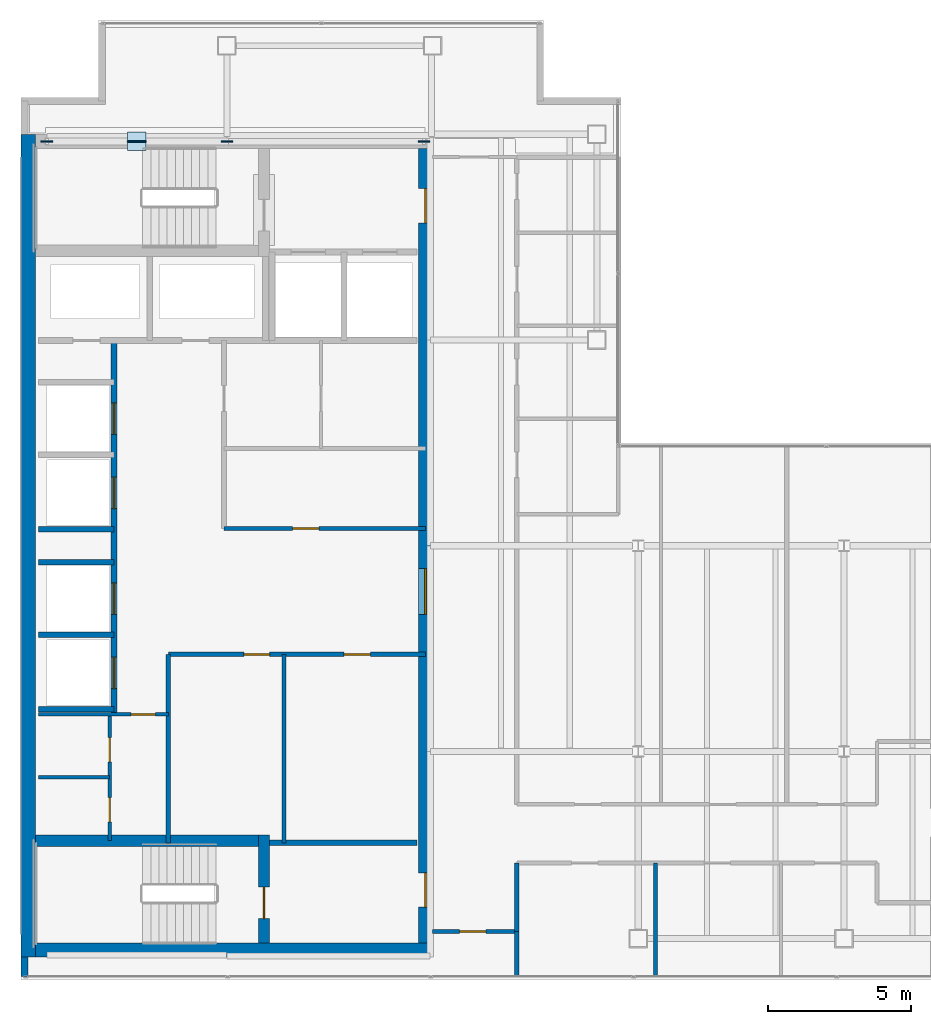
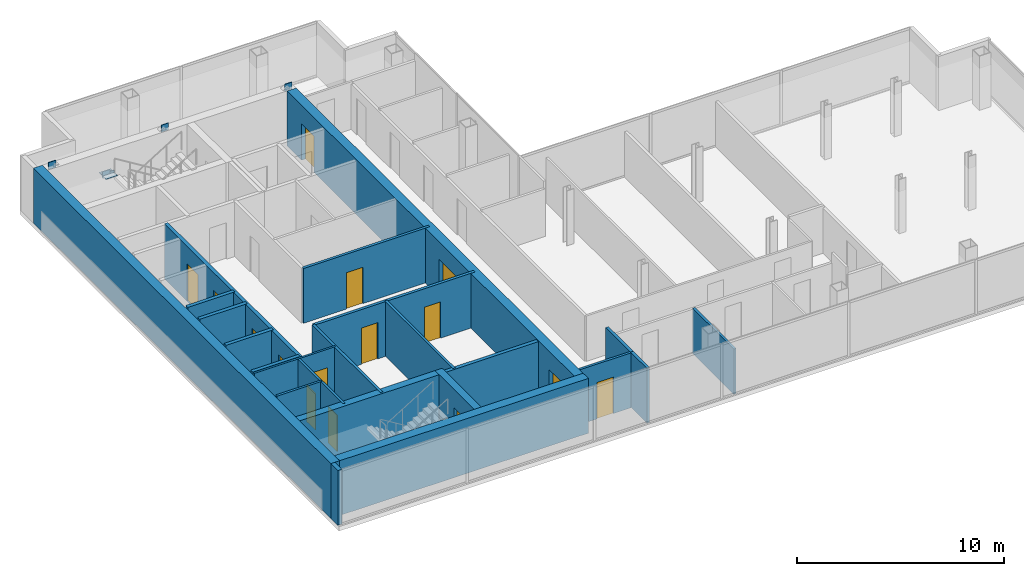
# One storey, part 20 of 23: 23 walls, 15 doors, 6 plates, 15 openings.
"""IFC4 building model written with IfcOpenShell, lengths in metres."""

from ifc_helpers import new_model, si_unit, direction, frame, frame_2d, origin, origin_2d, place, context, subcontext, project, spatial, rectangle, extrude, material, layer, layer_set, type_object, element, fill, save


model = new_model("IFC4")

# Units and contexts
model_context = context("Model", 3, precision=1e-05, world=origin(), true_north=direction((0.0, 1.0)))
body_context = subcontext(model_context, "Body", "Model", "MODEL_VIEW")
ifc_project = project(units=[si_unit("LENGTHUNIT", "METRE"), si_unit("AREAUNIT", "SQUARE_METRE"), si_unit("VOLUMEUNIT", "CUBIC_METRE"), si_unit("PLANEANGLEUNIT", "RADIAN"), si_unit("MASSUNIT", "GRAM", prefix="KILO")], contexts=[model_context])

# Site, building, storey
site_placement = place(None, origin())
site = spatial("IfcSite", under=ifc_project, at=site_placement, CompositionType="ELEMENT")
building_placement = place(site_placement, origin())
building = spatial("IfcBuilding", under=site, at=building_placement, Name="Cobrela Telecom Tower", CompositionType="ELEMENT")
storey_placement = place(building_placement, frame((0.0, 0.0, 286.64990234375)))
storey = spatial("IfcBuildingStorey", under=building, at=storey_placement, Name="L75", CompositionType="ELEMENT", Elevation=286.64990234375)

# Plates
ifc_material_1 = material(Name="Steel ASTM A572 Grade 50", Category="steel")
ifc_layer_1 = layer(ifc_material_1, 0.0419921875)
ifc_layer_set_1 = layer_set([ifc_layer_1], Name="Steel ASTM A572 Grade 50")
plate_type = type_object("IfcPlateType", Name="PLT-NODE-ND1", PredefinedType="USERDEFINED", material=ifc_layer_set_1)
for number, where, z_axis, x_axis, name in (
    (1, (7.199951171875, 35.75, 3.0751953125), (0.0, 0.0, 1.0), (1.0, 0.0, 0.0), "Steel node plate PLT-MBR-EXO-L75-N1-A-1"),
    (2, (4.173828125, 35.75, 1.349609375), (0.0, 0.0, 1.0), (-1.0, 0.0, 0.0), "Steel node plate PLT-MBR-EXO-L75-N1-B1-1"),
    (3, (3.926025390625, 35.75, 1.48046875), (0.0, 0.0, 1.0), (-1.0, 0.0, 0.0), "Steel node plate PLT-MBR-EXO-L75-N1-B2-0"),
    (4, (0.89990234375, 35.75, 3.0751953125), (0.0, 0.0, 1.0), (-1.0, 0.0, 0.0), "Steel node plate PLT-MBR-EXO-L75-N1-B2-1"),
):
    element("IfcPlate", number, at=place(storey_placement, frame(where, z_axis=z_axis, x_axis=x_axis)), inside=storey, type_object=plate_type, Name=name, ObjectType="GUSSET PLATE", PredefinedType="USERDEFINED", context=body_context, shape_type="SweptSolid", body=[
        extrude(rectangle(XDim=0.409912109375, YDim=0.044921875, at=origin_2d()), origin(), (0.0, 0.0, 1.0), 0.409912109375),
    ])
plate_1_placement = place(storey_placement, frame((4.050048828125, 35.75, 1.59765625), z_axis=(0.0, 0.0, 1.0), x_axis=(1.0, 0.0, 0.0)))
element("IfcPlate", 5, at=plate_1_placement, inside=storey, type_object=plate_type, Name="L75 Core Flange Steel X-Brace Central X-Crossing Gusset Plate", ObjectType="GUSSET PLATE", PredefinedType="USERDEFINED", context=body_context, shape_type="SweptSolid", body=[
    extrude(rectangle(XDim=0.64990234375, YDim=0.64990234375, at=origin_2d()), origin(), (0.0, 0.0, 1.0), 0.044921875),
])
plate_2_placement = place(storey_placement, frame((14.10009765625, 35.75, 3.0751953125), z_axis=(0.0, 0.0, 1.0), x_axis=(1.0, 0.0, 0.0)))
element("IfcPlate", 6, at=plate_2_placement, inside=storey, type_object=plate_type, Name="Steel node plate PLT-MBR-EXO-L75-N2-1", ObjectType="GUSSET PLATE", PredefinedType="USERDEFINED", context=body_context, shape_type="SweptSolid", body=[
    extrude(rectangle(XDim=0.409912109375, YDim=0.044921875, at=origin_2d()), origin(), (0.0, 0.0, 1.0), 0.409912109375),
])

# Walls
ifc_material_2 = material(Name="Concrete C40/50", Category="concrete")
ifc_layer_2 = layer(ifc_material_2, 0.5)
ifc_layer_set_2 = layer_set([ifc_layer_2], Name="Concrete C40/50")
wall_type_1 = type_object("IfcWallType", Name="WALL-CORE-C40-500", PredefinedType="SHEAR", material=ifc_layer_set_2)
wall_1_placement = place(storey_placement, frame((0.25, 7.199951171875, 0.0), z_axis=(0.0, 0.0, 1.0), x_axis=(0.0, 1.0, 0.0)))
element("IfcWall", 7, at=wall_1_placement, inside=storey, type_object=wall_type_1, Name="L75 West Core Shear Wall", PredefinedType="SHEAR", context=body_context, shape_type="SweptSolid", body=[
    extrude(rectangle(XDim=28.800048828125, YDim=0.5, at=frame_2d((14.39990234375, 0.0))), origin(), (0.0, 0.0, 1.0), 3.239990234375),
])
wall_2_placement = place(storey_placement, frame((0.5, 7.449951171875, 0.0), z_axis=(0.0, 0.0, 1.0), x_axis=(1.0, 0.0, 0.0)))
element("IfcWall", 8, at=wall_2_placement, inside=storey, type_object=wall_type_1, Name="L75 South Core Shear Wall", PredefinedType="SHEAR", context=body_context, shape_type="SweptSolid", body=[
    extrude(rectangle(XDim=13.89990234375, YDim=0.5, at=frame_2d((6.949951171875, 0.0))), origin(), (0.0, 0.0, 1.0), 3.239990234375),
])

# Wall, openings, doors
wall_3_placement = place(storey_placement, frame((14.14990234375, 35.5, 0.0), z_axis=(0.0, 0.0, 1.0), x_axis=(0.0, -1.0, 0.0)))
wall_3 = element("IfcWall", 9, at=wall_3_placement, inside=storey, type_object=wall_type_1, Name="L75 East Core Shear Wall", PredefinedType="SHEAR", context=body_context, shape_type="SweptSolid", body=[
    extrude(rectangle(XDim=27.800048828125, YDim=0.5, at=frame_2d((13.89990234375, 0.0))), origin(), (0.0, 0.0, 1.0), 3.239990234375),
])
opening_1_placement = place(wall_3_placement, frame((1.39990234375, 0.0, 0.0)))
opening_1 = element("IfcOpeningElement", 10, at=opening_1_placement, cuts=wall_3, Name="Opening DR-19", PredefinedType="OPENING", context=body_context, shape_type="SweptSolid", body=[
    extrude(rectangle(XDim=1.199951171875, YDim=2.14990234375, at=frame_2d((0.60009765625, 1.074951171875))), frame((0.0, 0.261962890625, 0.0), z_axis=(0.0, -1.0, 0.0), x_axis=(1.0, 0.0, 0.0)), (0.0, 0.0, 1.0), 0.52392578125),
])
opening_2_placement = place(wall_3_placement, frame((25.35009765625, 0.0, 0.0)))
opening_2 = element("IfcOpeningElement", 11, at=opening_2_placement, cuts=wall_3, Name="Opening DR-19", PredefinedType="OPENING", context=body_context, shape_type="SweptSolid", body=[
    extrude(rectangle(XDim=1.199951171875, YDim=2.14990234375, at=frame_2d((0.60009765625, 1.074951171875))), frame((0.0, 0.261962890625, 0.0), z_axis=(0.0, -1.0, 0.0), x_axis=(1.0, 0.0, 0.0)), (0.0, 0.0, 1.0), 0.52392578125),
])
opening_3_placement = place(wall_3_placement, frame((14.699951171875, 0.0, 0.0)))
opening_3 = element("IfcOpeningElement", 12, at=opening_3_placement, cuts=wall_3, Name="Opening DR-51", PredefinedType="OPENING", context=body_context, shape_type="SweptSolid", body=[
    extrude(rectangle(XDim=1.60009765625, YDim=2.199951171875, at=frame_2d((0.800048828125, 1.10009765625))), frame((0.0, 0.261962890625, 0.0), z_axis=(0.0, -1.0, 0.0), x_axis=(1.0, 0.0, 0.0)), (0.0, 0.0, 1.0), 0.52392578125),
])
ifc_material_3 = material(Name="Steel ASTM A36", Category="steel")
door_type_1 = type_object("IfcDoorType", Name="DOOR-FD60-1200", OperationType="SINGLE_SWING_LEFT", PredefinedType="DOOR", material=ifc_material_3)
door_1_placement = place(opening_1_placement, origin())
door_1 = element("IfcDoor", 13, at=door_1_placement, inside=storey, type_object=door_type_1, Name="L75 Door DR-19", OperationType="SINGLE_SWING_LEFT", OverallHeight=2.14990234375, OverallWidth=1.199951171875, PredefinedType="DOOR", context=body_context, shape_type="SweptSolid", body=[
    extrude(rectangle(XDim=1.199951171875, YDim=2.14990234375, at=frame_2d((0.60009765625, 1.074951171875))), frame((0.0, 0.02490234375, 0.0), z_axis=(0.0, -1.0, 0.0), x_axis=(1.0, 0.0, 0.0)), (0.0, 0.0, 1.0), 0.050048828125),
])
fill(opening_1, door_1)
door_2_placement = place(opening_2_placement, origin())
door_2 = element("IfcDoor", 14, at=door_2_placement, inside=storey, type_object=door_type_1, Name="L75 Door DR-19", OperationType="SINGLE_SWING_RIGHT", OverallHeight=2.14990234375, OverallWidth=1.199951171875, PredefinedType="DOOR", context=body_context, shape_type="SweptSolid", body=[
    extrude(rectangle(XDim=1.199951171875, YDim=2.14990234375, at=frame_2d((0.60009765625, 1.074951171875))), frame((0.0, 0.02490234375, 0.0), z_axis=(0.0, -1.0, 0.0), x_axis=(1.0, 0.0, 0.0)), (0.0, 0.0, 1.0), 0.050048828125),
])
fill(opening_2, door_2)
door_type_2 = type_object("IfcDoorType", Name="DOOR-FD60-1600", OperationType="SINGLE_SWING_LEFT", PredefinedType="DOOR", material=ifc_material_3)
door_3_placement = place(opening_3_placement, origin())
door_3 = element("IfcDoor", 15, at=door_3_placement, inside=storey, type_object=door_type_2, Name="L75 Door DR-51", OperationType="DOUBLE_DOOR_SINGLE_SWING", OverallHeight=2.199951171875, OverallWidth=1.60009765625, PredefinedType="DOOR", context=body_context, shape_type="SweptSolid", body=[
    extrude(rectangle(XDim=1.60009765625, YDim=2.199951171875, at=frame_2d((0.800048828125, 1.10009765625))), frame((0.0, 0.02490234375, 0.0), z_axis=(0.0, -1.0, 0.0), x_axis=(1.0, 0.0, 0.0)), (0.0, 0.0, 1.0), 0.050048828125),
])
fill(opening_3, door_3)

# Wall
ifc_layer_3 = layer(ifc_material_2, 0.239990234375)
ifc_layer_set_3 = layer_set([ifc_layer_3], Name="Concrete C40/50")
wall_type_2 = type_object("IfcWallType", Name="WALL-EXT-300", PredefinedType="STANDARD", material=ifc_layer_set_3)
wall_4_placement = place(storey_placement, frame((0.1201171875, 6.52001953125, 0.0), z_axis=(0.0, 0.0, 1.0), x_axis=(0.0, 1.0, 0.0)))
element("IfcWall", 16, at=wall_4_placement, inside=storey, type_object=wall_type_2, Name="L75 Insulated Facade Wall 01", PredefinedType="STANDARD", context=body_context, shape_type="SweptSolid", body=[
    extrude(rectangle(XDim=0.679931640625, YDim=0.239990234375, at=frame_2d((0.33984375, 0.0))), origin(), (0.0, 0.0, 1.0), 3.239990234375),
])

# Wall, opening, door
ifc_material_4 = material(Name="Fire-Rated Gypsum Plasterboard")
ifc_layer_4 = layer(ifc_material_4, 0.110107421875)
ifc_layer_set_4 = layer_set([ifc_layer_4], Name="Fire-Rated Gypsum Plasterboard")
wall_type_3 = type_object("IfcWallType", Name="WALL-PART-110", PredefinedType="PARTITIONING", material=ifc_layer_set_4)
wall_5_placement = place(storey_placement, frame((0.60009765625, 15.699951171875, 0.0), z_axis=(0.0, 0.0, 1.0), x_axis=(1.0, 0.0, 0.0)))
wall_5 = element("IfcWall", 17, at=wall_5_placement, inside=storey, type_object=wall_type_3, Name="L75 Interior Partition CW-FLEX-N", PredefinedType="PARTITIONING", context=body_context, shape_type="SweptSolid", body=[
    extrude(rectangle(XDim=4.5498046875, YDim=0.110107421875, at=frame_2d((2.27490234375, 0.0))), origin(), (0.0, 0.0, 1.0), 3.239990234375),
])
opening_4_placement = place(wall_5_placement, frame((3.25, 0.0, 0.0)))
opening_4 = element("IfcOpeningElement", 18, at=opening_4_placement, cuts=wall_5, Name="Opening DR-11", PredefinedType="OPENING", context=body_context, shape_type="SweptSolid", body=[
    extrude(rectangle(XDim=0.85009765625, YDim=2.14990234375, at=frame_2d((0.425048828125, 1.074951171875))), frame((0.0, 0.06689453125, 0.0), z_axis=(0.0, -1.0, 0.0), x_axis=(1.0, 0.0, 0.0)), (0.0, 0.0, 1.0), 0.134033203125),
])
ifc_material_5 = material(Name="Solid Engineered Oak Timber", Category="wood")
door_type_3 = type_object("IfcDoorType", Name="DOOR-INT-850", OperationType="SINGLE_SWING_LEFT", PredefinedType="DOOR", material=ifc_material_5)
door_4_placement = place(opening_4_placement, origin())
door_4 = element("IfcDoor", 19, at=door_4_placement, inside=storey, type_object=door_type_3, Name="L75 Door DR-11", OperationType="SINGLE_SWING_LEFT", OverallHeight=2.14990234375, OverallWidth=0.85009765625, PredefinedType="DOOR", context=body_context, shape_type="SweptSolid", body=[
    extrude(rectangle(XDim=0.85009765625, YDim=2.14990234375, at=frame_2d((0.425048828125, 1.074951171875))), frame((0.0, 0.02490234375, 0.0), z_axis=(0.0, -1.0, 0.0), x_axis=(1.0, 0.0, 0.0)), (0.0, 0.0, 1.0), 0.050048828125),
])
fill(opening_4, door_4)

# Wall
ifc_layer_5 = layer(ifc_material_4, 0.125)
ifc_layer_set_5 = layer_set([ifc_layer_5], Name="Fire-Rated Gypsum Plasterboard")
wall_type_4 = type_object("IfcWallType", Name="WALL-PART-125", PredefinedType="PARTITIONING", material=ifc_layer_set_5)
wall_6_placement = place(storey_placement, frame((0.60009765625, 13.5, 0.0), z_axis=(0.0, 0.0, 1.0), x_axis=(1.0, 0.0, 0.0)))
element("IfcWall", 20, at=wall_6_placement, inside=storey, type_object=wall_type_4, Name="L75 Interior Partition CW-FK3-H", PredefinedType="PARTITIONING", context=body_context, shape_type="SweptSolid", body=[
    extrude(rectangle(XDim=2.5, YDim=0.125, at=frame_2d((1.25, 0.0))), origin(), (0.0, 0.0, 1.0), 3.239990234375),
])

# Wall, openings, doors
wall_7_placement = place(storey_placement, frame((3.10009765625, 11.280029296875, 0.0), z_axis=(0.0, 0.0, 1.0), x_axis=(0.0, 1.0, 0.0)))
wall_7 = element("IfcWall", 21, at=wall_7_placement, inside=storey, type_object=wall_type_4, Name="L75 Interior Partition CW-FK3-V", PredefinedType="PARTITIONING", context=body_context, shape_type="SweptSolid", body=[
    extrude(rectangle(XDim=4.419921875, YDim=0.125, at=frame_2d((2.2099609375, 0.0))), origin(), (0.0, 0.0, 1.0), 3.239990234375),
])
opening_5_placement = place(wall_7_placement, frame((0.64990234375, 0.0, 0.0)))
opening_5 = element("IfcOpeningElement", 22, at=opening_5_placement, cuts=wall_7, Name="Opening DR-11", PredefinedType="OPENING", context=body_context, shape_type="SweptSolid", body=[
    extrude(rectangle(XDim=0.85009765625, YDim=2.14990234375, at=frame_2d((0.425048828125, 1.074951171875))), frame((0.0, 0.074462890625, 0.0), z_axis=(0.0, -1.0, 0.0), x_axis=(1.0, 0.0, 0.0)), (0.0, 0.0, 1.0), 0.14892578125),
])
opening_6_placement = place(wall_7_placement, frame((2.75, 0.0, 0.0)))
opening_6 = element("IfcOpeningElement", 23, at=opening_6_placement, cuts=wall_7, Name="Opening DR-11", PredefinedType="OPENING", context=body_context, shape_type="SweptSolid", body=[
    extrude(rectangle(XDim=0.85009765625, YDim=2.14990234375, at=frame_2d((0.425048828125, 1.074951171875))), frame((0.0, 0.074462890625, 0.0), z_axis=(0.0, -1.0, 0.0), x_axis=(1.0, 0.0, 0.0)), (0.0, 0.0, 1.0), 0.14892578125),
])
door_5_placement = place(opening_5_placement, origin())
door_5 = element("IfcDoor", 24, at=door_5_placement, inside=storey, type_object=door_type_3, Name="L75 Door DR-11", OperationType="SINGLE_SWING_LEFT", OverallHeight=2.14990234375, OverallWidth=0.85009765625, PredefinedType="DOOR", context=body_context, shape_type="SweptSolid", body=[
    extrude(rectangle(XDim=0.85009765625, YDim=2.14990234375, at=frame_2d((0.425048828125, 1.074951171875))), frame((0.0, 0.02490234375, 0.0), z_axis=(0.0, -1.0, 0.0), x_axis=(1.0, 0.0, 0.0)), (0.0, 0.0, 1.0), 0.050048828125),
])
fill(opening_5, door_5)
door_6_placement = place(opening_6_placement, origin())
door_6 = element("IfcDoor", 25, at=door_6_placement, inside=storey, type_object=door_type_3, Name="L75 Door DR-11", OperationType="SINGLE_SWING_RIGHT", OverallHeight=2.14990234375, OverallWidth=0.85009765625, PredefinedType="DOOR", context=body_context, shape_type="SweptSolid", body=[
    extrude(rectangle(XDim=0.85009765625, YDim=2.14990234375, at=frame_2d((0.425048828125, 1.074951171875))), frame((0.0, 0.02490234375, 0.0), z_axis=(0.0, -1.0, 0.0), x_axis=(1.0, 0.0, 0.0)), (0.0, 0.0, 1.0), 0.050048828125),
])
fill(opening_6, door_6)

# Wall
ifc_layer_6 = layer(ifc_material_4, 0.135009765625)
ifc_layer_set_6 = layer_set([ifc_layer_6], Name="Fire-Rated Gypsum Plasterboard")
wall_type_5 = type_object("IfcWallType", Name="WALL-PART-135", PredefinedType="PARTITIONING", material=ifc_layer_set_6)
wall_8_placement = place(storey_placement, frame((9.199951171875, 11.199951171875, 0.0), z_axis=(0.0, 0.0, 1.0), x_axis=(0.0, 1.0, 0.0)))
element("IfcWall", 26, at=wall_8_placement, inside=storey, type_object=wall_type_5, Name="L75 Interior Partition CW-RECM-V", PredefinedType="PARTITIONING", context=body_context, shape_type="SweptSolid", body=[
    extrude(rectangle(XDim=6.60009765625, YDim=0.135009765625, at=frame_2d((3.300048828125, 0.0))), origin(), (0.0, 0.0, 1.0), 3.239990234375),
])

# Wall, opening, door
wall_9_placement = place(storey_placement, frame((14.39990234375, 8.10009765625, 0.0), z_axis=(0.0, 0.0, 1.0), x_axis=(1.0, 0.0, 0.0)))
wall_9 = element("IfcWall", 27, at=wall_9_placement, inside=storey, type_object=wall_type_5, Name="L75 Interior Partition W-C-S0", PredefinedType="PARTITIONING", context=body_context, shape_type="SweptSolid", body=[
    extrude(rectangle(XDim=2.9501953125, YDim=0.135009765625, at=frame_2d((1.47509765625, 0.0))), origin(), (0.0, 0.0, 1.0), 3.239990234375),
])
opening_7_placement = place(wall_9_placement, frame((0.949951171875, 0.0, 0.0)))
opening_7 = element("IfcOpeningElement", 28, at=opening_7_placement, cuts=wall_9, Name="Opening DR-45", PredefinedType="OPENING", context=body_context, shape_type="SweptSolid", body=[
    extrude(rectangle(XDim=0.919921875, YDim=2.14990234375, at=frame_2d((0.4599609375, 1.074951171875))), frame((0.0, 0.07958984375, 0.0), z_axis=(0.0, -1.0, 0.0), x_axis=(1.0, 0.0, 0.0)), (0.0, 0.0, 1.0), 0.158935546875),
])
door_type_4 = type_object("IfcDoorType", Name="DOOR-INT-920", OperationType="SINGLE_SWING_LEFT", PredefinedType="DOOR", material=ifc_material_5)
door_7_placement = place(opening_7_placement, origin())
door_7 = element("IfcDoor", 29, at=door_7_placement, inside=storey, type_object=door_type_4, Name="L75 Door DR-45", OperationType="SINGLE_SWING_RIGHT", OverallHeight=2.14990234375, OverallWidth=0.919921875, PredefinedType="DOOR", context=body_context, shape_type="SweptSolid", body=[
    extrude(rectangle(XDim=0.919921875, YDim=2.14990234375, at=frame_2d((0.4599609375, 1.074951171875))), frame((0.0, 0.02490234375, 0.0), z_axis=(0.0, -1.0, 0.0), x_axis=(1.0, 0.0, 0.0)), (0.0, 0.0, 1.0), 0.050048828125),
])
fill(opening_7, door_7)

# Wall
wall_10_placement = place(storey_placement, frame((22.199951171875, 6.52001953125, 0.0), z_axis=(0.0, 0.0, 1.0), x_axis=(0.0, 1.0, 0.0)))
element("IfcWall", 30, at=wall_10_placement, inside=storey, type_object=wall_type_5, Name="L75 Interior Partition W-SV-1", PredefinedType="PARTITIONING", context=body_context, shape_type="SweptSolid", body=[
    extrude(rectangle(XDim=3.97998046875, YDim=0.135009765625, at=frame_2d((1.989990234375, 0.0))), origin(), (0.0, 0.0, 1.0), 2.676025390625),
])

# Wall, opening, door
ifc_layer_7 = layer(ifc_material_4, 0.14990234375)
ifc_layer_set_7 = layer_set([ifc_layer_7], Name="Fire-Rated Gypsum Plasterboard")
wall_type_6 = type_object("IfcWallType", Name="WALL-PART-150", PredefinedType="PARTITIONING", material=ifc_layer_set_7)
wall_11_placement = place(storey_placement, frame((7.10009765625, 22.199951171875, 0.0), z_axis=(0.0, 0.0, 1.0), x_axis=(1.0, 0.0, 0.0)))
wall_11 = element("IfcWall", 31, at=wall_11_placement, inside=storey, type_object=wall_type_6, Name="L75 Interior Partition CW-RECL-S", PredefinedType="PARTITIONING", context=body_context, shape_type="SweptSolid", body=[
    extrude(rectangle(XDim=7.0498046875, YDim=0.14990234375, at=frame_2d((3.52490234375, 0.0))), origin(), (0.0, 0.0, 1.0), 3.239990234375),
])
opening_8_placement = place(wall_11_placement, frame((2.39990234375, 0.0, 0.0)))
opening_8 = element("IfcOpeningElement", 32, at=opening_8_placement, cuts=wall_11, Name="Opening DR-45", PredefinedType="OPENING", context=body_context, shape_type="SweptSolid", body=[
    extrude(rectangle(XDim=0.919921875, YDim=2.14990234375, at=frame_2d((0.4599609375, 1.074951171875))), frame((0.0, 0.0869140625, 0.0), z_axis=(0.0, -1.0, 0.0), x_axis=(1.0, 0.0, 0.0)), (0.0, 0.0, 1.0), 0.173828125),
])
door_8_placement = place(opening_8_placement, origin())
door_8 = element("IfcDoor", 33, at=door_8_placement, inside=storey, type_object=door_type_4, Name="L75 Door DR-45", OperationType="SINGLE_SWING_LEFT", OverallHeight=2.14990234375, OverallWidth=0.919921875, PredefinedType="DOOR", context=body_context, shape_type="SweptSolid", body=[
    extrude(rectangle(XDim=0.919921875, YDim=2.14990234375, at=frame_2d((0.4599609375, 1.074951171875))), frame((0.0, 0.02490234375, 0.0), z_axis=(0.0, -1.0, 0.0), x_axis=(1.0, 0.0, 0.0)), (0.0, 0.0, 1.0), 0.050048828125),
])
fill(opening_8, door_8)

# Walls
wall_12_placement = place(storey_placement, frame((5.14990234375, 11.199951171875, 0.0), z_axis=(0.0, 0.0, 1.0), x_axis=(0.0, 1.0, 0.0)))
element("IfcWall", 34, at=wall_12_placement, inside=storey, type_object=wall_type_6, Name="L75 Interior Partition CW-RECM-W", PredefinedType="PARTITIONING", context=body_context, shape_type="SweptSolid", body=[
    extrude(rectangle(XDim=6.60009765625, YDim=0.14990234375, at=frame_2d((3.300048828125, 0.0))), origin(), (0.0, 0.0, 1.0), 3.239990234375),
])
wall_13_placement = place(storey_placement, frame((17.35009765625, 6.52001953125, 0.0), z_axis=(0.0, 0.0, 1.0), x_axis=(0.0, 1.0, 0.0)))
element("IfcWall", 35, at=wall_13_placement, inside=storey, type_object=wall_type_6, Name="L75 Interior Partition W-SW-E", PredefinedType="PARTITIONING", context=body_context, shape_type="SweptSolid", body=[
    extrude(rectangle(XDim=1.580078125, YDim=0.14990234375, at=frame_2d((0.7900390625, 0.0))), origin(), (0.0, 0.0, 1.0), 3.239990234375),
])

# Wall, openings, doors
ifc_layer_8 = layer(ifc_material_4, 0.159912109375)
ifc_layer_set_8 = layer_set([ifc_layer_8], Name="Fire-Rated Gypsum Plasterboard")
wall_type_7 = type_object("IfcWallType", Name="WALL-PART-160", PredefinedType="PARTITIONING", material=ifc_layer_set_8)
wall_14_placement = place(storey_placement, frame((5.14990234375, 17.800048828125, 0.0), z_axis=(0.0, 0.0, 1.0), x_axis=(1.0, 0.0, 0.0)))
wall_14 = element("IfcWall", 36, at=wall_14_placement, inside=storey, type_object=wall_type_7, Name="L75 Interior Partition CW-RECM-N", PredefinedType="PARTITIONING", context=body_context, shape_type="SweptSolid", body=[
    extrude(rectangle(XDim=9.0, YDim=0.159912109375, at=frame_2d((4.5, 0.0))), origin(), (0.0, 0.0, 1.0), 3.239990234375),
])
opening_9_placement = place(wall_14_placement, frame((2.64990234375, 0.0, 0.0)))
opening_9 = element("IfcOpeningElement", 37, at=opening_9_placement, cuts=wall_14, Name="Opening DR-41", PredefinedType="OPENING", context=body_context, shape_type="SweptSolid", body=[
    extrude(rectangle(XDim=0.89990234375, YDim=2.14990234375, at=frame_2d((0.449951171875, 1.074951171875))), frame((0.0, 0.091796875, 0.0), z_axis=(0.0, -1.0, 0.0), x_axis=(1.0, 0.0, 0.0)), (0.0, 0.0, 1.0), 0.183837890625),
])
opening_10_placement = place(wall_14_placement, frame((6.14990234375, 0.0, 0.0)))
opening_10 = element("IfcOpeningElement", 38, at=opening_10_placement, cuts=wall_14, Name="Opening DR-45", PredefinedType="OPENING", context=body_context, shape_type="SweptSolid", body=[
    extrude(rectangle(XDim=0.919921875, YDim=2.14990234375, at=frame_2d((0.4599609375, 1.074951171875))), frame((0.0, 0.091796875, 0.0), z_axis=(0.0, -1.0, 0.0), x_axis=(1.0, 0.0, 0.0)), (0.0, 0.0, 1.0), 0.183837890625),
])
door_type_5 = type_object("IfcDoorType", Name="DOOR-INT-900", OperationType="SINGLE_SWING_LEFT", PredefinedType="DOOR", material=ifc_material_5)
door_9_placement = place(opening_9_placement, origin())
door_9 = element("IfcDoor", 39, at=door_9_placement, inside=storey, type_object=door_type_5, Name="L75 Door DR-41", OperationType="SINGLE_SWING_LEFT", OverallHeight=2.14990234375, OverallWidth=0.89990234375, PredefinedType="DOOR", context=body_context, shape_type="SweptSolid", body=[
    extrude(rectangle(XDim=0.89990234375, YDim=2.14990234375, at=frame_2d((0.449951171875, 1.074951171875))), frame((0.0, 0.02490234375, 0.0), z_axis=(0.0, -1.0, 0.0), x_axis=(1.0, 0.0, 0.0)), (0.0, 0.0, 1.0), 0.050048828125),
])
fill(opening_9, door_9)
door_10_placement = place(opening_10_placement, origin())
door_10 = element("IfcDoor", 40, at=door_10_placement, inside=storey, type_object=door_type_4, Name="L75 Door DR-45", OperationType="SINGLE_SWING_RIGHT", OverallHeight=2.14990234375, OverallWidth=0.919921875, PredefinedType="DOOR", context=body_context, shape_type="SweptSolid", body=[
    extrude(rectangle(XDim=0.919921875, YDim=2.14990234375, at=frame_2d((0.4599609375, 1.074951171875))), frame((0.0, 0.02490234375, 0.0), z_axis=(0.0, -1.0, 0.0), x_axis=(1.0, 0.0, 0.0)), (0.0, 0.0, 1.0), 0.050048828125),
])
fill(opening_10, door_10)

# Walls
wall_15_placement = place(storey_placement, frame((17.35009765625, 8.10009765625, 0.0), z_axis=(0.0, 0.0, 1.0), x_axis=(0.0, 1.0, 0.0)))
element("IfcWall", 41, at=wall_15_placement, inside=storey, type_object=wall_type_7, Name="L75 Interior Partition W-C-E1", PredefinedType="PARTITIONING", context=body_context, shape_type="SweptSolid", body=[
    extrude(rectangle(XDim=2.39990234375, YDim=0.159912109375, at=frame_2d((1.199951171875, 0.0))), origin(), (0.0, 0.0, 1.0), 3.239990234375),
])
ifc_layer_9 = layer(ifc_material_4, 0.199951171875)
ifc_layer_set_9 = layer_set([ifc_layer_9], Name="Fire-Rated Gypsum Plasterboard")
wall_type_8 = type_object("IfcWallType", Name="WALL-SHAFT-200", PredefinedType="PARTITIONING", material=ifc_layer_set_9)
wall_16_placement = place(storey_placement, frame((8.699951171875, 11.199951171875, 0.0), z_axis=(0.0, 0.0, 1.0), x_axis=(1.0, 0.0, 0.0)))
element("IfcWall", 42, at=wall_16_placement, inside=storey, type_object=wall_type_8, Name="L75 Shaft Enclosure CW-ST2L-N", PredefinedType="PARTITIONING", context=body_context, shape_type="SweptSolid", body=[
    extrude(rectangle(XDim=5.150146484375, YDim=0.199951171875, at=frame_2d((2.5751953125, 0.0))), origin(), (0.0, 0.0, 1.0), 3.239990234375),
])

# Wall, openings, doors
wall_17_placement = place(storey_placement, frame((3.25, 15.699951171875, 0.0), z_axis=(0.0, 0.0, 1.0), x_axis=(0.0, 1.0, 0.0)))
wall_17 = element("IfcWall", 43, at=wall_17_placement, inside=storey, type_object=wall_type_8, Name="L75 Shaft Enclosure CW-PLH-E", PredefinedType="PARTITIONING", context=body_context, shape_type="SweptSolid", body=[
    extrude(rectangle(XDim=13.080078125, YDim=0.199951171875, at=frame_2d((6.5400390625, 0.0))), origin(), (0.0, 0.0, 1.0), 3.239990234375),
])
opening_11_placement = place(wall_17_placement, frame((0.89990234375, 0.0, 0.0)))
opening_11 = element("IfcOpeningElement", 44, at=opening_11_placement, cuts=wall_17, Name="Opening LD-1", PredefinedType="OPENING", context=body_context, shape_type="SweptSolid", body=[
    extrude(rectangle(XDim=1.10009765625, YDim=2.199951171875, at=frame_2d((0.550048828125, 1.10009765625))), frame((0.0, 0.11181640625, 0.0), z_axis=(0.0, -1.0, 0.0), x_axis=(1.0, 0.0, 0.0)), (0.0, 0.0, 1.0), 0.223876953125),
])
opening_12_placement = place(wall_17_placement, frame((3.5, 0.0, 0.0)))
opening_12 = element("IfcOpeningElement", 45, at=opening_12_placement, cuts=wall_17, Name="Opening LD-1", PredefinedType="OPENING", context=body_context, shape_type="SweptSolid", body=[
    extrude(rectangle(XDim=1.10009765625, YDim=2.199951171875, at=frame_2d((0.550048828125, 1.10009765625))), frame((0.0, 0.11181640625, 0.0), z_axis=(0.0, -1.0, 0.0), x_axis=(1.0, 0.0, 0.0)), (0.0, 0.0, 1.0), 0.223876953125),
])
opening_13_placement = place(wall_17_placement, frame((7.199951171875, 0.0, 0.0)))
opening_13 = element("IfcOpeningElement", 46, at=opening_13_placement, cuts=wall_17, Name="Opening LD-1", PredefinedType="OPENING", context=body_context, shape_type="SweptSolid", body=[
    extrude(rectangle(XDim=1.10009765625, YDim=2.199951171875, at=frame_2d((0.550048828125, 1.10009765625))), frame((0.0, 0.11181640625, 0.0), z_axis=(0.0, -1.0, 0.0), x_axis=(1.0, 0.0, 0.0)), (0.0, 0.0, 1.0), 0.223876953125),
])
opening_14_placement = place(wall_17_placement, frame((9.800048828125, 0.0, 0.0)))
opening_14 = element("IfcOpeningElement", 47, at=opening_14_placement, cuts=wall_17, Name="Opening LD-1", PredefinedType="OPENING", context=body_context, shape_type="SweptSolid", body=[
    extrude(rectangle(XDim=1.10009765625, YDim=2.199951171875, at=frame_2d((0.550048828125, 1.10009765625))), frame((0.0, 0.11181640625, 0.0), z_axis=(0.0, -1.0, 0.0), x_axis=(1.0, 0.0, 0.0)), (0.0, 0.0, 1.0), 0.223876953125),
])
door_type_6 = type_object("IfcDoorType", Name="DOOR-LD-PL", OperationType="SINGLE_SWING_LEFT", PredefinedType="DOOR", material=ifc_material_3)
door_11_placement = place(opening_11_placement, origin())
door_11 = element("IfcDoor", 48, at=door_11_placement, inside=storey, type_object=door_type_6, Name="L75 Lift Landing Door LD-1", OperationType="DOUBLE_DOOR_SLIDING", OverallHeight=2.199951171875, OverallWidth=1.10009765625, PredefinedType="DOOR", context=body_context, shape_type="SweptSolid", body=[
    extrude(rectangle(XDim=1.10009765625, YDim=2.199951171875, at=frame_2d((0.550048828125, 1.10009765625))), frame((0.0, 0.02490234375, 0.0), z_axis=(0.0, -1.0, 0.0), x_axis=(1.0, 0.0, 0.0)), (0.0, 0.0, 1.0), 0.050048828125),
])
fill(opening_11, door_11)
door_12_placement = place(opening_12_placement, origin())
door_12 = element("IfcDoor", 49, at=door_12_placement, inside=storey, type_object=door_type_6, Name="L75 Lift Landing Door LD-1", OperationType="DOUBLE_DOOR_SLIDING", OverallHeight=2.199951171875, OverallWidth=1.10009765625, PredefinedType="DOOR", context=body_context, shape_type="SweptSolid", body=[
    extrude(rectangle(XDim=1.10009765625, YDim=2.199951171875, at=frame_2d((0.550048828125, 1.10009765625))), frame((0.0, 0.02490234375, 0.0), z_axis=(0.0, -1.0, 0.0), x_axis=(1.0, 0.0, 0.0)), (0.0, 0.0, 1.0), 0.050048828125),
])
fill(opening_12, door_12)
door_13_placement = place(opening_13_placement, origin())
door_13 = element("IfcDoor", 50, at=door_13_placement, inside=storey, type_object=door_type_6, Name="L75 Lift Landing Door LD-1", OperationType="DOUBLE_DOOR_SLIDING", OverallHeight=2.199951171875, OverallWidth=1.10009765625, PredefinedType="DOOR", context=body_context, shape_type="SweptSolid", body=[
    extrude(rectangle(XDim=1.10009765625, YDim=2.199951171875, at=frame_2d((0.550048828125, 1.10009765625))), frame((0.0, 0.02490234375, 0.0), z_axis=(0.0, -1.0, 0.0), x_axis=(1.0, 0.0, 0.0)), (0.0, 0.0, 1.0), 0.050048828125),
])
fill(opening_13, door_13)
door_14_placement = place(opening_14_placement, origin())
door_14 = element("IfcDoor", 51, at=door_14_placement, inside=storey, type_object=door_type_6, Name="L75 Lift Landing Door LD-1", OperationType="DOUBLE_DOOR_SLIDING", OverallHeight=2.199951171875, OverallWidth=1.10009765625, PredefinedType="DOOR", context=body_context, shape_type="SweptSolid", body=[
    extrude(rectangle(XDim=1.10009765625, YDim=2.199951171875, at=frame_2d((0.550048828125, 1.10009765625))), frame((0.0, 0.02490234375, 0.0), z_axis=(0.0, -1.0, 0.0), x_axis=(1.0, 0.0, 0.0)), (0.0, 0.0, 1.0), 0.050048828125),
])
fill(opening_14, door_14)

# Walls
for number, where, z_axis, x_axis, name in (
    (52, (0.60009765625, 15.8798828125, 0.0), (0.0, 0.0, 1.0), (1.0, 0.0, 0.0), "L75 Shaft Enclosure CW-PLH-D9"),
    (53, (0.60009765625, 18.47998046875, 0.0), (0.0, 0.0, 1.0), (1.0, 0.0, 0.0), "L75 Shaft Enclosure CW-PLH-D10"),
    (54, (0.60009765625, 22.179931640625, 0.0), (0.0, 0.0, 1.0), (1.0, 0.0, 0.0), "L75 Shaft Enclosure CW-PLH-D11"),
    (55, (0.60009765625, 21.02001953125, 0.0), (0.0, 0.0, 1.0), (1.0, 0.0, 0.0), "L75 Shaft Enclosure CW-PLH-MID"),
):
    element("IfcWall", number, at=place(storey_placement, frame(where, z_axis=z_axis, x_axis=x_axis)), inside=storey, type_object=wall_type_8, Name=name, PredefinedType="PARTITIONING", context=body_context, shape_type="SweptSolid", body=[
        extrude(rectangle(XDim=2.64990234375, YDim=0.199951171875, at=frame_2d((1.324951171875, 0.0))), origin(), (0.0, 0.0, 1.0), 3.239990234375),
    ])
ifc_layer_10 = layer(ifc_material_2, 0.39990234375)
ifc_layer_set_10 = layer_set([ifc_layer_10], Name="Concrete C40/50")
wall_type_9 = type_object("IfcWallType", Name="WALL-SHAFT-C40-400", PredefinedType="SHEAR", material=ifc_layer_set_10)
wall_18_placement = place(storey_placement, frame((0.5, 11.280029296875, 0.0), z_axis=(0.0, 0.0, 1.0), x_axis=(1.0, 0.0, 0.0)))
element("IfcWall", 56, at=wall_18_placement, inside=storey, type_object=wall_type_9, Name="L75 South Stair Shear Wall", PredefinedType="SHEAR", context=body_context, shape_type="SweptSolid", body=[
    extrude(rectangle(XDim=7.800048828125, YDim=0.39990234375, at=frame_2d((3.89990234375, 0.0))), origin(), (0.0, 0.0, 1.0), 3.239990234375),
])

# Wall, opening, door
wall_19_placement = place(storey_placement, frame((8.5, 7.699951171875, 0.0), z_axis=(0.0, 0.0, 1.0), x_axis=(0.0, 1.0, 0.0)))
wall_19 = element("IfcWall", 57, at=wall_19_placement, inside=storey, type_object=wall_type_9, Name="L75 South Stair Lobby Shear Wall", PredefinedType="SHEAR", context=body_context, shape_type="SweptSolid", body=[
    extrude(rectangle(XDim=3.780029296875, YDim=0.39990234375, at=frame_2d((1.89013671875, 0.0))), origin(), (0.0, 0.0, 1.0), 3.239990234375),
])
opening_15_placement = place(wall_19_placement, frame((0.85009765625, 0.0, 0.0)))
opening_15 = element("IfcOpeningElement", 58, at=opening_15_placement, cuts=wall_19, Name="Opening FD-90", PredefinedType="OPENING", context=body_context, shape_type="SweptSolid", body=[
    extrude(rectangle(XDim=1.10009765625, YDim=2.14990234375, at=frame_2d((0.550048828125, 1.074951171875))), frame((0.0, 0.2119140625, 0.0), z_axis=(0.0, -1.0, 0.0), x_axis=(1.0, 0.0, 0.0)), (0.0, 0.0, 1.0), 0.423828125),
])
door_type_7 = type_object("IfcDoorType", Name="DOOR-FD90-1100", OperationType="SINGLE_SWING_LEFT", PredefinedType="DOOR", material=ifc_material_3)
door_15_placement = place(opening_15_placement, origin())
door_15 = element("IfcDoor", 59, at=door_15_placement, inside=storey, type_object=door_type_7, Name="L75 Door FD-90", OperationType="SINGLE_SWING_LEFT", OverallHeight=2.14990234375, OverallWidth=1.10009765625, PredefinedType="DOOR", context=body_context, shape_type="SweptSolid", body=[
    extrude(rectangle(XDim=1.10009765625, YDim=2.14990234375, at=frame_2d((0.550048828125, 1.074951171875))), frame((0.0, 0.02490234375, 0.0), z_axis=(0.0, -1.0, 0.0), x_axis=(1.0, 0.0, 0.0)), (0.0, 0.0, 1.0), 0.050048828125),
])
fill(opening_15, door_15)

save(model, "model.ifc")
